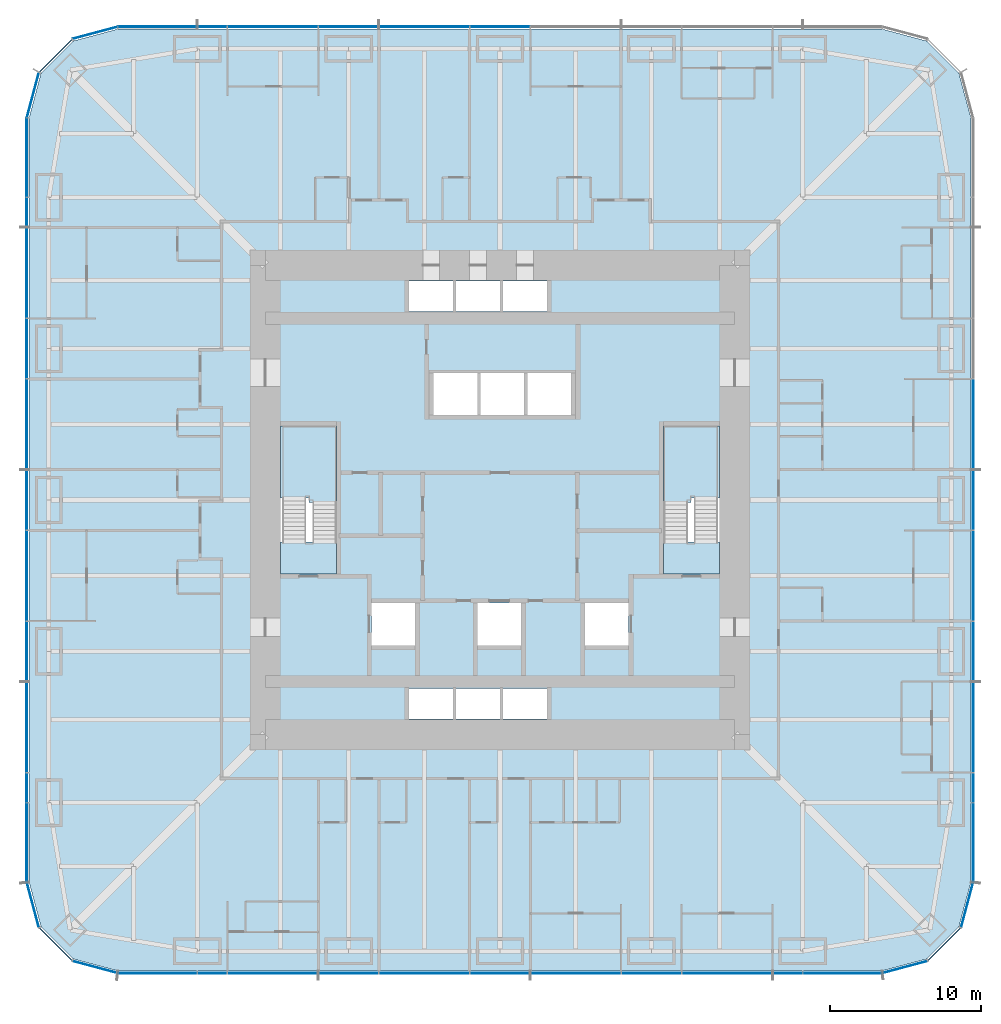
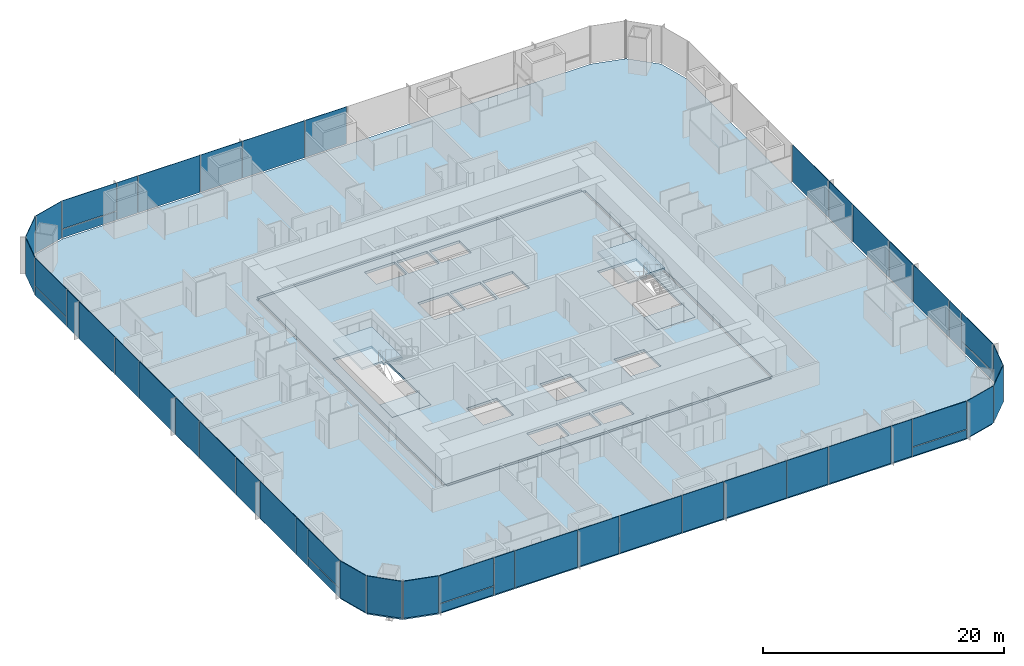
# One storey, part 10 of 17: 50 plates, 6 slabs, 9 elements without a shape of their own.
"""IFC4 building model written with IfcOpenShell, lengths in metres."""

from ifc_helpers import new_model, si_unit, direction, frame, origin, origin_2d, place, context, subcontext, project, spatial, polyline, rectangle, outline, extrude, material, layer, layer_set, type_object, element, aggregate, save


model = new_model("IFC4")

# Units and contexts
model_context = context("Model", 3, precision=1e-05, world=origin(), true_north=direction((0.0, 1.0)))
body_context = subcontext(model_context, "Body", "Model", "MODEL_VIEW")
ifc_project = project(units=[si_unit("LENGTHUNIT", "METRE"), si_unit("AREAUNIT", "SQUARE_METRE"), si_unit("VOLUMEUNIT", "CUBIC_METRE"), si_unit("PLANEANGLEUNIT", "RADIAN"), si_unit("MASSUNIT", "GRAM", prefix="KILO")], contexts=[model_context])

# Site, building, storey
site_placement = place(None, origin())
site = spatial("IfcSite", under=ifc_project, at=site_placement, CompositionType="ELEMENT")
building_placement = place(site_placement, origin())
building = spatial("IfcBuilding", under=site, at=building_placement, Name="Khuree Lantern Residences", CompositionType="ELEMENT")
storey_placement = place(building_placement, frame((0.0, 0.0, 73.5)))
storey = spatial("IfcBuildingStorey", under=building, at=storey_placement, Name="L18", CompositionType="ELEMENT", Elevation=73.5)

# Slab
ifc_material_1 = material(Name="Concrete C35/45", Category="concrete")
ifc_layer_1 = layer(ifc_material_1, 0.25)
ifc_layer_set_1 = layer_set([ifc_layer_1], Name="CFL250 CORE FLOOR SLAB 250")
slab_type_1 = type_object("IfcSlabType", Name="CFL250 CORE FLOOR SLAB 250", PredefinedType="FLOOR", material=ifc_layer_set_1)
slab_1_placement = place(storey_placement, frame((0.0, 0.0, -0.25)))
element("IfcSlab", 1, at=slab_1_placement, inside=storey, type_object=slab_type_1, Name="Core floor L18", PredefinedType="FLOOR", context=body_context, shape_type="SweptSolid", body=[
    extrude(outline(polyline([(-15.5, -15.5), (-15.5, 15.5), (15.5, 15.5), (15.5, -15.5), (-15.5, -15.5)]), holes=[polyline([(14.5, 4.89990234375), (10.800048828125, 4.89990234375), (10.800048828125, -4.89990234375), (14.5, -4.89990234375), (14.5, 4.89990234375)]), polyline([(8.5, -6.800048828125), (5.60009765625, -6.800048828125), (5.60009765625, -9.60009765625), (8.5, -9.60009765625), (8.5, -6.800048828125)]), polyline([(4.699951171875, 8.39990234375), (1.800048828125, 8.39990234375), (1.800048828125, 5.60009765625), (4.699951171875, 5.60009765625), (4.699951171875, 8.39990234375)]), polyline([(0.199951171875, -12.449951171875), (0.199951171875, -14.449951171875), (3.10009765625, -14.449951171875), (3.10009765625, -12.449951171875), (0.199951171875, -12.449951171875)]), polyline([(3.10009765625, 14.449951171875), (0.199951171875, 14.449951171875), (0.199951171875, 12.449951171875), (3.10009765625, 12.449951171875), (3.10009765625, 14.449951171875)]), polyline([(1.60009765625, 8.39990234375), (-1.300048828125, 8.39990234375), (-1.300048828125, 5.60009765625), (1.60009765625, 5.60009765625), (1.60009765625, 8.39990234375)]), polyline([(1.39990234375, -6.800048828125), (-1.5, -6.800048828125), (-1.5, -9.60009765625), (1.39990234375, -9.60009765625), (1.39990234375, -6.800048828125)]), polyline([(0.0, -12.449951171875), (-2.89990234375, -12.449951171875), (-2.89990234375, -14.449951171875), (0.0, -14.449951171875), (0.0, -12.449951171875)]), polyline([(0.0, 14.449951171875), (-2.89990234375, 14.449951171875), (-2.89990234375, 12.449951171875), (0.0, 12.449951171875), (0.0, 14.449951171875)]), polyline([(-1.5, 8.39990234375), (-4.39990234375, 8.39990234375), (-4.39990234375, 5.60009765625), (-1.5, 5.60009765625), (-1.5, 8.39990234375)]), polyline([(-6.0, -12.449951171875), (-6.0, -14.449951171875), (-3.10009765625, -14.449951171875), (-3.10009765625, -12.449951171875), (-6.0, -12.449951171875)]), polyline([(-3.10009765625, 14.449951171875), (-6.0, 14.449951171875), (-6.0, 12.449951171875), (-3.10009765625, 12.449951171875), (-3.10009765625, 14.449951171875)]), polyline([(-5.60009765625, -6.800048828125), (-8.5, -6.800048828125), (-8.5, -9.60009765625), (-5.60009765625, -9.60009765625), (-5.60009765625, -6.800048828125)]), polyline([(-10.800048828125, 4.89990234375), (-14.5, 4.89990234375), (-14.5, -4.89990234375), (-10.800048828125, -4.89990234375), (-10.800048828125, 4.89990234375)])]), origin(), (0.0, 0.0, 1.0), 0.25),
])

# Curtain wall, plates
ifc_material_2 = material(Name="Bronze anodised aluminium", Category="aluminium")
curtain_wall_type_1 = type_object("IfcCurtainWallType", Name="CW-T2 TOWER CORNER CURTAIN WALL", PredefinedType="USERDEFINED", material=ifc_material_2)
curtain_wall_1_placement = place(storey_placement, origin())
curtain_wall_1 = element("IfcCurtainWall", 2, at=curtain_wall_1_placement, inside=storey, type_object=curtain_wall_type_1, Name="L18 SOUTH-EAST CORNER CURTAIN WALL", ObjectType="Faceted corner curtain wall", PredefinedType="USERDEFINED")
ifc_material_3 = material(Name="Bronze tinted triple glazing", Category="glass")
ifc_layer_2 = layer(ifc_material_3, 0.048095703125)
ifc_layer_set_2 = layer_set([ifc_layer_2], Name="FACET PANEL P4")
plate_type_1 = type_object("IfcPlateType", Name="FACET PANEL P4", PredefinedType="CURTAIN_PANEL", material=ifc_layer_set_2)
plate_1_placement = place(storey_placement, frame((26.748046875, -30.8486328125, 0.0), z_axis=(0.0, 0.0, 1.0), x_axis=(0.965925792265, 0.258819172081, 0.0)))
plate_1 = element("IfcPlate", 3, at=plate_1_placement, type_object=plate_type_1, Name="L18 SOUTH-EAST CORNER PANEL 1.1", PredefinedType="CURTAIN_PANEL", context=body_context, shape_type="SweptSolid", body=[
    extrude(rectangle(XDim=3.02978515625, YDim=0.048095703125, at=origin_2d()), origin(), (0.0, 0.0, 1.0), 3.75),
])
plate_2_placement = place(storey_placement, frame((29.34814453125, -29.34814453125, 0.0), z_axis=(0.0, 0.0, 1.0), x_axis=(0.707106781187, 0.707106781187, 0.0)))
plate_2 = element("IfcPlate", 4, at=plate_2_placement, type_object=plate_type_1, Name="L18 SOUTH-EAST CORNER PANEL 2.1", PredefinedType="CURTAIN_PANEL", context=body_context, shape_type="SweptSolid", body=[
    extrude(rectangle(XDim=3.025634765625, YDim=0.048095703125, at=origin_2d()), origin(), (0.0, 0.0, 1.0), 3.75),
])
plate_3_placement = place(storey_placement, frame((30.8486328125, -26.748046875, 0.0), z_axis=(0.0, 0.0, 1.0), x_axis=(0.258819172081, 0.965925792265, 0.0)))
plate_3 = element("IfcPlate", 5, at=plate_3_placement, type_object=plate_type_1, Name="L18 SOUTH-EAST CORNER PANEL 3.1", PredefinedType="CURTAIN_PANEL", context=body_context, shape_type="SweptSolid", body=[
    extrude(rectangle(XDim=3.02978515625, YDim=0.048095703125, at=origin_2d()), origin(), (0.0, 0.0, 1.0), 3.75),
])
aggregate(curtain_wall_1, [plate_1, plate_2, plate_3])

curtain_wall_2_placement = place(storey_placement, origin())
curtain_wall_2 = element("IfcCurtainWall", 6, at=curtain_wall_2_placement, inside=storey, type_object=curtain_wall_type_1, Name="L18 NORTH-WEST CORNER CURTAIN WALL", ObjectType="Faceted corner curtain wall", PredefinedType="USERDEFINED")
plate_4_placement = place(storey_placement, frame((-26.748046875, 30.8486328125, 0.0), z_axis=(0.0, 0.0, 1.0), x_axis=(-0.965925792265, -0.258819172081, 0.0)))
plate_4 = element("IfcPlate", 7, at=plate_4_placement, type_object=plate_type_1, Name="L18 NORTH-WEST CORNER PANEL 29.1", PredefinedType="CURTAIN_PANEL", context=body_context, shape_type="SweptSolid", body=[
    extrude(rectangle(XDim=3.02978515625, YDim=0.048095703125, at=origin_2d()), origin(), (0.0, 0.0, 1.0), 3.75),
])
plate_5_placement = place(storey_placement, frame((-29.34814453125, 29.34814453125, 0.0), z_axis=(0.0, 0.0, 1.0), x_axis=(-0.707106781187, -0.707106781187, 0.0)))
plate_5 = element("IfcPlate", 8, at=plate_5_placement, type_object=plate_type_1, Name="L18 NORTH-WEST CORNER PANEL 30.1", PredefinedType="CURTAIN_PANEL", context=body_context, shape_type="SweptSolid", body=[
    extrude(rectangle(XDim=3.025634765625, YDim=0.048095703125, at=origin_2d()), origin(), (0.0, 0.0, 1.0), 3.75),
])
plate_6_placement = place(storey_placement, frame((-30.8486328125, 26.748046875, 0.0), z_axis=(0.0, 0.0, 1.0), x_axis=(-0.258819172081, -0.965925792265, 0.0)))
plate_6 = element("IfcPlate", 9, at=plate_6_placement, type_object=plate_type_1, Name="L18 NORTH-WEST CORNER PANEL 31.1", PredefinedType="CURTAIN_PANEL", context=body_context, shape_type="SweptSolid", body=[
    extrude(rectangle(XDim=3.02978515625, YDim=0.048095703125, at=origin_2d()), origin(), (0.0, 0.0, 1.0), 3.75),
])
aggregate(curtain_wall_2, [plate_4, plate_5, plate_6])

curtain_wall_3_placement = place(storey_placement, origin())
curtain_wall_3 = element("IfcCurtainWall", 10, at=curtain_wall_3_placement, inside=storey, type_object=curtain_wall_type_1, Name="L18 SOUTH-WEST CORNER CURTAIN WALL", ObjectType="Faceted corner curtain wall", PredefinedType="USERDEFINED")
plate_7_placement = place(storey_placement, frame((-30.8486328125, -26.748046875, 0.0), z_axis=(0.0, 0.0, 1.0), x_axis=(0.258819172081, -0.965925792265, 0.0)))
plate_7 = element("IfcPlate", 11, at=plate_7_placement, type_object=plate_type_1, Name="L18 SOUTH-WEST CORNER PANEL 43.1", PredefinedType="CURTAIN_PANEL", context=body_context, shape_type="SweptSolid", body=[
    extrude(rectangle(XDim=3.02978515625, YDim=0.048095703125, at=origin_2d()), origin(), (0.0, 0.0, 1.0), 3.75),
])
plate_8_placement = place(storey_placement, frame((-29.34814453125, -29.34814453125, 0.0), z_axis=(0.0, 0.0, 1.0), x_axis=(0.707106781187, -0.707106781187, 0.0)))
plate_8 = element("IfcPlate", 12, at=plate_8_placement, type_object=plate_type_1, Name="L18 SOUTH-WEST CORNER PANEL 44.1", PredefinedType="CURTAIN_PANEL", context=body_context, shape_type="SweptSolid", body=[
    extrude(rectangle(XDim=3.025634765625, YDim=0.048095703125, at=origin_2d()), origin(), (0.0, 0.0, 1.0), 3.75),
])
plate_9_placement = place(storey_placement, frame((-26.748046875, -30.8486328125, 0.0), z_axis=(0.0, 0.0, 1.0), x_axis=(0.965925792265, -0.258819172081, 0.0)))
plate_9 = element("IfcPlate", 13, at=plate_9_placement, type_object=plate_type_1, Name="L18 SOUTH-WEST CORNER PANEL 45.1", PredefinedType="CURTAIN_PANEL", context=body_context, shape_type="SweptSolid", body=[
    extrude(rectangle(XDim=3.02978515625, YDim=0.048095703125, at=origin_2d()), origin(), (0.0, 0.0, 1.0), 3.75),
])
aggregate(curtain_wall_3, [plate_7, plate_8, plate_9])

curtain_wall_type_2 = type_object("IfcCurtainWallType", Name="CW-T1 TOWER FACE CURTAIN WALL", PredefinedType="USERDEFINED", material=ifc_material_2)
curtain_wall_4_placement = place(storey_placement, origin())
curtain_wall_4 = element("IfcCurtainWall", 14, at=curtain_wall_4_placement, inside=storey, type_object=curtain_wall_type_2, Name="L18 EAST FACE CURTAIN WALL", ObjectType="Stick-built curtain wall", PredefinedType="USERDEFINED")
ifc_material_4 = material(Name="Bronze tinted triple glazing with a ceramic-fritted spandrel band", Category="glass")
ifc_layer_3 = layer(ifc_material_4, 0.048095703125)
ifc_layer_set_3 = layer_set([ifc_layer_3], Name="FIXED LIGHT PANEL P11")
plate_type_2 = type_object("IfcPlateType", Name="FIXED LIGHT PANEL P11", PredefinedType="CURTAIN_PANEL", material=ifc_layer_set_3)
plate_10_placement = place(storey_placement, frame((31.25, -15.0, 0.0), z_axis=(0.0, 0.0, 1.0), x_axis=(0.0, 1.0, 0.0)))
plate_10 = element("IfcPlate", 15, at=plate_10_placement, type_object=plate_type_2, Name="L18 EAST FACE PANEL 6.1", PredefinedType="CURTAIN_PANEL", context=body_context, shape_type="SweptSolid", body=[
    extrude(rectangle(XDim=5.93505859375, YDim=0.048095703125, at=origin_2d()), origin(), (0.0, 0.0, 1.0), 3.75),
])
plate_11_placement = place(storey_placement, frame((31.25, -5.0, 0.0), z_axis=(0.0, 0.0, 1.0), x_axis=(0.0, 1.0, 0.0)))
plate_11 = element("IfcPlate", 16, at=plate_11_placement, type_object=plate_type_2, Name="L18 EAST FACE PANEL 8.1", PredefinedType="CURTAIN_PANEL", context=body_context, shape_type="SweptSolid", body=[
    extrude(rectangle(XDim=5.93505859375, YDim=0.048095703125, at=origin_2d()), origin(), (0.0, 0.0, 1.0), 3.75),
])
plate_12_placement = place(storey_placement, frame((31.25, 5.0, 0.0), z_axis=(0.0, 0.0, 1.0), x_axis=(0.0, 1.0, 0.0)))
plate_12 = element("IfcPlate", 17, at=plate_12_placement, type_object=plate_type_2, Name="L18 EAST FACE PANEL 10.1", PredefinedType="CURTAIN_PANEL", context=body_context, shape_type="SweptSolid", body=[
    extrude(rectangle(XDim=5.93505859375, YDim=0.048095703125, at=origin_2d()), origin(), (0.0, 0.0, 1.0), 3.75),
])

curtain_wall_5_placement = place(storey_placement, origin())
curtain_wall_5 = element("IfcCurtainWall", 18, at=curtain_wall_5_placement, inside=storey, type_object=curtain_wall_type_2, Name="L18 NORTH FACE CURTAIN WALL", ObjectType="Stick-built curtain wall", PredefinedType="USERDEFINED")
plate_13_placement = place(storey_placement, frame((-5.0, 31.25, 0.0), z_axis=(0.0, 0.0, 1.0), x_axis=(-1.0, 0.0, 0.0)))
plate_13 = element("IfcPlate", 19, at=plate_13_placement, type_object=plate_type_2, Name="L18 NORTH FACE PANEL 24.1", PredefinedType="CURTAIN_PANEL", context=body_context, shape_type="SweptSolid", body=[
    extrude(rectangle(XDim=5.93505859375, YDim=0.048095703125, at=origin_2d()), origin(), (0.0, 0.0, 1.0), 3.75),
])
plate_14_placement = place(storey_placement, frame((-15.0, 31.25, 0.0), z_axis=(0.0, 0.0, 1.0), x_axis=(-1.0, 0.0, 0.0)))
plate_14 = element("IfcPlate", 20, at=plate_14_placement, type_object=plate_type_2, Name="L18 NORTH FACE PANEL 26.1", PredefinedType="CURTAIN_PANEL", context=body_context, shape_type="SweptSolid", body=[
    extrude(rectangle(XDim=5.93505859375, YDim=0.048095703125, at=origin_2d()), origin(), (0.0, 0.0, 1.0), 3.75),
])

curtain_wall_6_placement = place(storey_placement, origin())
curtain_wall_6 = element("IfcCurtainWall", 21, at=curtain_wall_6_placement, inside=storey, type_object=curtain_wall_type_2, Name="L18 WEST FACE CURTAIN WALL", ObjectType="Stick-built curtain wall", PredefinedType="USERDEFINED")
plate_15_placement = place(storey_placement, frame((-31.25, 15.0, 0.0), z_axis=(0.0, 0.0, 1.0), x_axis=(0.0, -1.0, 0.0)))
plate_15 = element("IfcPlate", 22, at=plate_15_placement, type_object=plate_type_2, Name="L18 WEST FACE PANEL 34.1", PredefinedType="CURTAIN_PANEL", context=body_context, shape_type="SweptSolid", body=[
    extrude(rectangle(XDim=5.93505859375, YDim=0.048095703125, at=origin_2d()), origin(), (0.0, 0.0, 1.0), 3.75),
])
plate_16_placement = place(storey_placement, frame((-31.25, 5.0, 0.0), z_axis=(0.0, 0.0, 1.0), x_axis=(0.0, -1.0, 0.0)))
plate_16 = element("IfcPlate", 23, at=plate_16_placement, type_object=plate_type_2, Name="L18 WEST FACE PANEL 36.1", PredefinedType="CURTAIN_PANEL", context=body_context, shape_type="SweptSolid", body=[
    extrude(rectangle(XDim=5.93505859375, YDim=0.048095703125, at=origin_2d()), origin(), (0.0, 0.0, 1.0), 3.75),
])
plate_17_placement = place(storey_placement, frame((-31.25, -5.0, 0.0), z_axis=(0.0, 0.0, 1.0), x_axis=(0.0, -1.0, 0.0)))
plate_17 = element("IfcPlate", 24, at=plate_17_placement, type_object=plate_type_2, Name="L18 WEST FACE PANEL 38.1", PredefinedType="CURTAIN_PANEL", context=body_context, shape_type="SweptSolid", body=[
    extrude(rectangle(XDim=5.93505859375, YDim=0.048095703125, at=origin_2d()), origin(), (0.0, 0.0, 1.0), 3.75),
])
plate_18_placement = place(storey_placement, frame((-31.25, -15.0, 0.0), z_axis=(0.0, 0.0, 1.0), x_axis=(0.0, -1.0, 0.0)))
plate_18 = element("IfcPlate", 25, at=plate_18_placement, type_object=plate_type_2, Name="L18 WEST FACE PANEL 40.1", PredefinedType="CURTAIN_PANEL", context=body_context, shape_type="SweptSolid", body=[
    extrude(rectangle(XDim=5.93505859375, YDim=0.048095703125, at=origin_2d()), origin(), (0.0, 0.0, 1.0), 3.75),
])

curtain_wall_7_placement = place(storey_placement, origin())
curtain_wall_7 = element("IfcCurtainWall", 26, at=curtain_wall_7_placement, inside=storey, type_object=curtain_wall_type_2, Name="L18 SOUTH FACE CURTAIN WALL", ObjectType="Stick-built curtain wall", PredefinedType="USERDEFINED")
plate_19_placement = place(storey_placement, frame((-15.0, -31.25, 0.0), z_axis=(0.0, 0.0, 1.0), x_axis=(1.0, 0.0, 0.0)))
plate_19 = element("IfcPlate", 27, at=plate_19_placement, type_object=plate_type_2, Name="L18 SOUTH FACE PANEL 48.1", PredefinedType="CURTAIN_PANEL", context=body_context, shape_type="SweptSolid", body=[
    extrude(rectangle(XDim=5.93505859375, YDim=0.048095703125, at=origin_2d()), origin(), (0.0, 0.0, 1.0), 3.75),
])
plate_20_placement = place(storey_placement, frame((-5.0, -31.25, 0.0), z_axis=(0.0, 0.0, 1.0), x_axis=(1.0, 0.0, 0.0)))
plate_20 = element("IfcPlate", 28, at=plate_20_placement, type_object=plate_type_2, Name="L18 SOUTH FACE PANEL 50.1", PredefinedType="CURTAIN_PANEL", context=body_context, shape_type="SweptSolid", body=[
    extrude(rectangle(XDim=5.93505859375, YDim=0.048095703125, at=origin_2d()), origin(), (0.0, 0.0, 1.0), 3.75),
])
plate_21_placement = place(storey_placement, frame((5.0, -31.25, 0.0), z_axis=(0.0, 0.0, 1.0), x_axis=(1.0, 0.0, 0.0)))
plate_21 = element("IfcPlate", 29, at=plate_21_placement, type_object=plate_type_2, Name="L18 SOUTH FACE PANEL 52.1", PredefinedType="CURTAIN_PANEL", context=body_context, shape_type="SweptSolid", body=[
    extrude(rectangle(XDim=5.93505859375, YDim=0.048095703125, at=origin_2d()), origin(), (0.0, 0.0, 1.0), 3.75),
])
plate_22_placement = place(storey_placement, frame((15.0, -31.25, 0.0), z_axis=(0.0, 0.0, 1.0), x_axis=(1.0, 0.0, 0.0)))
plate_22 = element("IfcPlate", 30, at=plate_22_placement, type_object=plate_type_2, Name="L18 SOUTH FACE PANEL 54.1", PredefinedType="CURTAIN_PANEL", context=body_context, shape_type="SweptSolid", body=[
    extrude(rectangle(XDim=5.93505859375, YDim=0.048095703125, at=origin_2d()), origin(), (0.0, 0.0, 1.0), 3.75),
])

# Slab
ifc_layer_4 = layer(ifc_material_1, 0.25)
ifc_layer_set_4 = layer_set([ifc_layer_4], Name="FS250 FLOOR SLAB 250")
slab_type_2 = type_object("IfcSlabType", Name="FS250 FLOOR SLAB 250", PredefinedType="FLOOR", material=ifc_layer_set_4)
slab_2_placement = place(storey_placement, frame((0.0, 0.0, -0.25)))
element("IfcSlab", 31, at=slab_2_placement, inside=storey, type_object=slab_type_2, Name="Floor slab L18", PredefinedType="FLOOR", context=body_context, shape_type="SweptSolid", body=[
    extrude(outline(polyline([(-28.175048828125, -30.316162109375), (-30.316162109375, -28.175048828125), (-31.10009765625, -25.25), (-31.10009765625, 25.25), (-30.316162109375, 28.175048828125), (-28.175048828125, 30.316162109375), (-25.25, 31.10009765625), (25.25, 31.10009765625), (28.175048828125, 30.316162109375), (30.316162109375, 28.175048828125), (31.10009765625, 25.25), (31.10009765625, -25.25), (30.316162109375, -28.175048828125), (28.175048828125, -30.316162109375), (25.25, -31.10009765625), (-25.25, -31.10009765625), (-28.175048828125, -30.316162109375)]), holes=[polyline([(15.75, 15.5), (15.5, 15.5), (15.5, 15.75), (-15.5, 15.75), (-15.5, 15.5), (-15.75, 15.5), (-15.75, -15.5), (-15.5, -15.5), (-15.5, -15.75), (15.5, -15.75), (15.5, -15.5), (15.75, -15.5), (15.75, 15.5)])]), origin(), (0.0, 0.0, 1.0), 0.25),
])

# Plate
ifc_material_5 = material(Name="Bronze tinted triple glazing, two aluminium-framed sashes in one frame", Category="aluminium")
ifc_layer_5 = layer(ifc_material_5, 0.048095703125)
ifc_layer_set_5 = layer_set([ifc_layer_5], Name="SASH PAIR PANEL P12")
plate_type_3 = type_object("IfcPlateType", Name="SASH PAIR PANEL P12", PredefinedType="CURTAIN_PANEL", material=ifc_layer_set_5)
plate_23_placement = place(storey_placement, frame((31.25, -10.0, 0.0), z_axis=(0.0, 0.0, 1.0), x_axis=(0.0, 1.0, 0.0)))
plate_23 = element("IfcPlate", 32, at=plate_23_placement, type_object=plate_type_3, Name="L18 EAST FACE PANEL 7.1", PredefinedType="CURTAIN_PANEL", context=body_context, shape_type="SweptSolid", body=[
    extrude(rectangle(XDim=3.93505859375, YDim=0.048095703125, at=origin_2d()), origin(), (0.0, 0.0, 1.0), 3.75),
])

plate_24_placement = place(storey_placement, frame((31.25, 0.0, 0.0), z_axis=(0.0, 0.0, 1.0), x_axis=(0.0, 1.0, 0.0)))
plate_24 = element("IfcPlate", 33, at=plate_24_placement, type_object=plate_type_3, Name="L18 EAST FACE PANEL 9.1", PredefinedType="CURTAIN_PANEL", context=body_context, shape_type="SweptSolid", body=[
    extrude(rectangle(XDim=3.93505859375, YDim=0.048095703125, at=origin_2d()), origin(), (0.0, 0.0, 1.0), 3.75),
])

plate_25_placement = place(storey_placement, frame((0.0, 31.25, 0.0), z_axis=(0.0, 0.0, 1.0), x_axis=(-1.0, 0.0, 0.0)))
plate_25 = element("IfcPlate", 34, at=plate_25_placement, type_object=plate_type_3, Name="L18 NORTH FACE PANEL 23.1", PredefinedType="CURTAIN_PANEL", context=body_context, shape_type="SweptSolid", body=[
    extrude(rectangle(XDim=3.93505859375, YDim=0.048095703125, at=origin_2d()), origin(), (0.0, 0.0, 1.0), 3.75),
])

plate_26_placement = place(storey_placement, frame((-10.0, 31.25, 0.0), z_axis=(0.0, 0.0, 1.0), x_axis=(-1.0, 0.0, 0.0)))
plate_26 = element("IfcPlate", 35, at=plate_26_placement, type_object=plate_type_3, Name="L18 NORTH FACE PANEL 25.1", PredefinedType="CURTAIN_PANEL", context=body_context, shape_type="SweptSolid", body=[
    extrude(rectangle(XDim=3.93505859375, YDim=0.048095703125, at=origin_2d()), origin(), (0.0, 0.0, 1.0), 3.75),
])

plate_27_placement = place(storey_placement, frame((-31.25, 10.0, 0.0), z_axis=(0.0, 0.0, 1.0), x_axis=(0.0, -1.0, 0.0)))
plate_27 = element("IfcPlate", 36, at=plate_27_placement, type_object=plate_type_3, Name="L18 WEST FACE PANEL 35.1", PredefinedType="CURTAIN_PANEL", context=body_context, shape_type="SweptSolid", body=[
    extrude(rectangle(XDim=3.93505859375, YDim=0.048095703125, at=origin_2d()), origin(), (0.0, 0.0, 1.0), 3.75),
])

plate_28_placement = place(storey_placement, frame((-31.25, 0.0, 0.0), z_axis=(0.0, 0.0, 1.0), x_axis=(0.0, -1.0, 0.0)))
plate_28 = element("IfcPlate", 37, at=plate_28_placement, type_object=plate_type_3, Name="L18 WEST FACE PANEL 37.1", PredefinedType="CURTAIN_PANEL", context=body_context, shape_type="SweptSolid", body=[
    extrude(rectangle(XDim=3.93505859375, YDim=0.048095703125, at=origin_2d()), origin(), (0.0, 0.0, 1.0), 3.75),
])

plate_29_placement = place(storey_placement, frame((-31.25, -10.0, 0.0), z_axis=(0.0, 0.0, 1.0), x_axis=(0.0, -1.0, 0.0)))
plate_29 = element("IfcPlate", 38, at=plate_29_placement, type_object=plate_type_3, Name="L18 WEST FACE PANEL 39.1", PredefinedType="CURTAIN_PANEL", context=body_context, shape_type="SweptSolid", body=[
    extrude(rectangle(XDim=3.93505859375, YDim=0.048095703125, at=origin_2d()), origin(), (0.0, 0.0, 1.0), 3.75),
])

plate_30_placement = place(storey_placement, frame((-10.0, -31.25, 0.0), z_axis=(0.0, 0.0, 1.0), x_axis=(1.0, 0.0, 0.0)))
plate_30 = element("IfcPlate", 39, at=plate_30_placement, type_object=plate_type_3, Name="L18 SOUTH FACE PANEL 49.1", PredefinedType="CURTAIN_PANEL", context=body_context, shape_type="SweptSolid", body=[
    extrude(rectangle(XDim=3.93505859375, YDim=0.048095703125, at=origin_2d()), origin(), (0.0, 0.0, 1.0), 3.75),
])

plate_31_placement = place(storey_placement, frame((0.0, -31.25, 0.0), z_axis=(0.0, 0.0, 1.0), x_axis=(1.0, 0.0, 0.0)))
plate_31 = element("IfcPlate", 40, at=plate_31_placement, type_object=plate_type_3, Name="L18 SOUTH FACE PANEL 51.1", PredefinedType="CURTAIN_PANEL", context=body_context, shape_type="SweptSolid", body=[
    extrude(rectangle(XDim=3.93505859375, YDim=0.048095703125, at=origin_2d()), origin(), (0.0, 0.0, 1.0), 3.75),
])

plate_32_placement = place(storey_placement, frame((10.0, -31.25, 0.0), z_axis=(0.0, 0.0, 1.0), x_axis=(1.0, 0.0, 0.0)))
plate_32 = element("IfcPlate", 41, at=plate_32_placement, type_object=plate_type_3, Name="L18 SOUTH FACE PANEL 53.1", PredefinedType="CURTAIN_PANEL", context=body_context, shape_type="SweptSolid", body=[
    extrude(rectangle(XDim=3.93505859375, YDim=0.048095703125, at=origin_2d()), origin(), (0.0, 0.0, 1.0), 3.75),
])

ifc_material_6 = material(Name="Bronze tinted triple glazing, aluminium-framed sash", Category="aluminium")
ifc_layer_6 = layer(ifc_material_6, 0.048095703125)
ifc_layer_set_6 = layer_set([ifc_layer_6], Name="SASH PANEL P3")
plate_type_4 = type_object("IfcPlateType", Name="SASH PANEL P3", PredefinedType="CURTAIN_PANEL", material=ifc_layer_set_6)
plate_33_placement = place(storey_placement, frame((31.25, -19.0, 0.0), z_axis=(0.0, 0.0, 1.0), x_axis=(0.0, 1.0, 0.0)))
plate_33 = element("IfcPlate", 42, at=plate_33_placement, type_object=plate_type_4, Name="L18 EAST FACE PANEL 5.1", PredefinedType="CURTAIN_PANEL", context=body_context, shape_type="SweptSolid", body=[
    extrude(rectangle(XDim=1.93505859375, YDim=0.048095703125, at=origin_2d()), origin(), (0.0, 0.0, 1.0), 3.75),
])

plate_34_placement = place(storey_placement, frame((-19.0, 31.25, 0.0), z_axis=(0.0, 0.0, 1.0), x_axis=(-1.0, 0.0, 0.0)))
plate_34 = element("IfcPlate", 43, at=plate_34_placement, type_object=plate_type_4, Name="L18 NORTH FACE PANEL 27.1", PredefinedType="CURTAIN_PANEL", context=body_context, shape_type="SweptSolid", body=[
    extrude(rectangle(XDim=1.93505859375, YDim=0.048095703125, at=origin_2d()), origin(), (0.0, 0.0, 1.0), 3.75),
])

plate_35_placement = place(storey_placement, frame((-31.25, 19.0, 0.0), z_axis=(0.0, 0.0, 1.0), x_axis=(0.0, -1.0, 0.0)))
plate_35 = element("IfcPlate", 44, at=plate_35_placement, type_object=plate_type_4, Name="L18 WEST FACE PANEL 33.1", PredefinedType="CURTAIN_PANEL", context=body_context, shape_type="SweptSolid", body=[
    extrude(rectangle(XDim=1.93505859375, YDim=0.048095703125, at=origin_2d()), origin(), (0.0, 0.0, 1.0), 3.75),
])

plate_36_placement = place(storey_placement, frame((-31.25, -19.0, 0.0), z_axis=(0.0, 0.0, 1.0), x_axis=(0.0, -1.0, 0.0)))
plate_36 = element("IfcPlate", 45, at=plate_36_placement, type_object=plate_type_4, Name="L18 WEST FACE PANEL 41.1", PredefinedType="CURTAIN_PANEL", context=body_context, shape_type="SweptSolid", body=[
    extrude(rectangle(XDim=1.93505859375, YDim=0.048095703125, at=origin_2d()), origin(), (0.0, 0.0, 1.0), 3.75),
])

plate_37_placement = place(storey_placement, frame((-19.0, -31.25, 0.0), z_axis=(0.0, 0.0, 1.0), x_axis=(1.0, 0.0, 0.0)))
plate_37 = element("IfcPlate", 46, at=plate_37_placement, type_object=plate_type_4, Name="L18 SOUTH FACE PANEL 47.1", PredefinedType="CURTAIN_PANEL", context=body_context, shape_type="SweptSolid", body=[
    extrude(rectangle(XDim=1.93505859375, YDim=0.048095703125, at=origin_2d()), origin(), (0.0, 0.0, 1.0), 3.75),
])

plate_38_placement = place(storey_placement, frame((19.0, -31.25, 0.0), z_axis=(0.0, 0.0, 1.0), x_axis=(1.0, 0.0, 0.0)))
plate_38 = element("IfcPlate", 47, at=plate_38_placement, type_object=plate_type_4, Name="L18 SOUTH FACE PANEL 55.1", PredefinedType="CURTAIN_PANEL", context=body_context, shape_type="SweptSolid", body=[
    extrude(rectangle(XDim=1.93505859375, YDim=0.048095703125, at=origin_2d()), origin(), (0.0, 0.0, 1.0), 3.75),
])

ifc_material_7 = material(Name="Bronze anodised aluminium insulated spandrel", Category="aluminium")
ifc_layer_7 = layer(ifc_material_7, 0.06005859375)
ifc_layer_set_7 = layer_set([ifc_layer_7], Name="SPANDREL PANEL P2")
plate_type_5 = type_object("IfcPlateType", Name="SPANDREL PANEL P2", PredefinedType="CURTAIN_PANEL", material=ifc_layer_set_7)
plate_39_placement = place(storey_placement, frame((31.25, -22.622802734375, 0.0), z_axis=(0.0, 0.0, 1.0), x_axis=(0.0, 1.0, 0.0)))
plate_39 = element("IfcPlate", 48, at=plate_39_placement, type_object=plate_type_5, Name="L18 EAST FACE PANEL 4.1", PredefinedType="CURTAIN_PANEL", context=body_context, shape_type="SweptSolid", body=[
    extrude(rectangle(XDim=5.1806640625, YDim=0.06005859375, at=origin_2d()), origin(), (0.0, 0.0, 1.0), 0.867431640625),
])

plate_40_placement = place(storey_placement, frame((-22.622802734375, 31.25, 0.0), z_axis=(0.0, 0.0, 1.0), x_axis=(-1.0, 0.0, 0.0)))
plate_40 = element("IfcPlate", 49, at=plate_40_placement, type_object=plate_type_5, Name="L18 NORTH FACE PANEL 28.1", PredefinedType="CURTAIN_PANEL", context=body_context, shape_type="SweptSolid", body=[
    extrude(rectangle(XDim=5.1806640625, YDim=0.06005859375, at=origin_2d()), origin(), (0.0, 0.0, 1.0), 0.867431640625),
])

plate_41_placement = place(storey_placement, frame((-31.25, 22.622802734375, 0.0), z_axis=(0.0, 0.0, 1.0), x_axis=(0.0, -1.0, 0.0)))
plate_41 = element("IfcPlate", 50, at=plate_41_placement, type_object=plate_type_5, Name="L18 WEST FACE PANEL 32.1", PredefinedType="CURTAIN_PANEL", context=body_context, shape_type="SweptSolid", body=[
    extrude(rectangle(XDim=5.1806640625, YDim=0.06005859375, at=origin_2d()), origin(), (0.0, 0.0, 1.0), 0.867431640625),
])

plate_42_placement = place(storey_placement, frame((-31.25, -22.622802734375, 0.0), z_axis=(0.0, 0.0, 1.0), x_axis=(0.0, -1.0, 0.0)))
plate_42 = element("IfcPlate", 51, at=plate_42_placement, type_object=plate_type_5, Name="L18 WEST FACE PANEL 42.1", PredefinedType="CURTAIN_PANEL", context=body_context, shape_type="SweptSolid", body=[
    extrude(rectangle(XDim=5.1806640625, YDim=0.06005859375, at=origin_2d()), origin(), (0.0, 0.0, 1.0), 0.867431640625),
])

plate_43_placement = place(storey_placement, frame((-22.622802734375, -31.25, 0.0), z_axis=(0.0, 0.0, 1.0), x_axis=(1.0, 0.0, 0.0)))
plate_43 = element("IfcPlate", 52, at=plate_43_placement, type_object=plate_type_5, Name="L18 SOUTH FACE PANEL 46.1", PredefinedType="CURTAIN_PANEL", context=body_context, shape_type="SweptSolid", body=[
    extrude(rectangle(XDim=5.1806640625, YDim=0.06005859375, at=origin_2d()), origin(), (0.0, 0.0, 1.0), 0.867431640625),
])

plate_44_placement = place(storey_placement, frame((22.622802734375, -31.25, 0.0), z_axis=(0.0, 0.0, 1.0), x_axis=(1.0, 0.0, 0.0)))
plate_44 = element("IfcPlate", 53, at=plate_44_placement, type_object=plate_type_5, Name="L18 SOUTH FACE PANEL 56.1", PredefinedType="CURTAIN_PANEL", context=body_context, shape_type="SweptSolid", body=[
    extrude(rectangle(XDim=5.1806640625, YDim=0.06005859375, at=origin_2d()), origin(), (0.0, 0.0, 1.0), 0.867431640625),
])

# Stair, slabs
ifc_material_8 = material(Name="Concrete C40/50", Category="concrete")
stair_type = type_object("IfcStairType", Name="STAIR ST1 HALF TURN 3600", PredefinedType="HALF_TURN_STAIR", material=ifc_material_8)
stair_1_placement = place(storey_placement, origin())
stair_1 = element("IfcStair", 54, at=stair_1_placement, inside=storey, type_object=stair_type, Name="Stair ST1", PredefinedType="HALF_TURN_STAIR")
ifc_layer_8 = layer(ifc_material_8, 0.199951171875)
ifc_layer_set_8 = layer_set([ifc_layer_8], Name="STAIR LANDING SL1 200")
slab_type_3 = type_object("IfcSlabType", Name="STAIR LANDING SL1 200", PredefinedType="LANDING", material=ifc_layer_set_8)
slab_3_placement = place(storey_placement, frame((0.0, 0.0, -0.199951171875)))
slab_3 = element("IfcSlab", 55, at=slab_3_placement, type_object=slab_type_3, Name="ST1 landing 1", PredefinedType="LANDING", context=body_context, shape_type="SweptSolid", body=[
    extrude(outline(polyline([(-14.5, -4.89990234375), (-10.800048828125, -4.89990234375), (-10.800048828125, -2.760009765625), (-14.5, -2.760009765625), (-14.5, -4.89990234375)])), origin(), (0.0, 0.0, 1.0), 0.199951171875),
])
slab_4_placement = place(storey_placement, frame((0.0, 0.0, 1.756591796875)))
slab_4 = element("IfcSlab", 56, at=slab_4_placement, type_object=slab_type_3, Name="ST1 landing 2", PredefinedType="LANDING", context=body_context, shape_type="SweptSolid", body=[
    extrude(outline(polyline([(-14.5, 0.1201171875), (-14.5, 4.89990234375), (-10.800048828125, 4.89990234375), (-10.800048828125, -0.159912109375), (-12.60009765625, -0.159912109375), (-12.60009765625, 0.1201171875), (-14.5, 0.1201171875)])), origin(), (0.0, 0.0, 1.0), 0.199951171875),
])
aggregate(stair_1, [slab_3, slab_4])

stair_2_placement = place(storey_placement, origin())
stair_2 = element("IfcStair", 57, at=stair_2_placement, inside=storey, type_object=stair_type, Name="Stair ST2", PredefinedType="HALF_TURN_STAIR")
slab_5_placement = place(storey_placement, frame((0.0, 0.0, -0.199951171875)))
slab_5 = element("IfcSlab", 58, at=slab_5_placement, type_object=slab_type_3, Name="ST2 landing 1", PredefinedType="LANDING", context=body_context, shape_type="SweptSolid", body=[
    extrude(outline(polyline([(10.800048828125, -4.89990234375), (14.5, -4.89990234375), (14.5, -2.760009765625), (10.800048828125, -2.760009765625), (10.800048828125, -4.89990234375)])), origin(), (0.0, 0.0, 1.0), 0.199951171875),
])
slab_6_placement = place(storey_placement, frame((0.0, 0.0, 1.756591796875)))
slab_6 = element("IfcSlab", 59, at=slab_6_placement, type_object=slab_type_3, Name="ST2 landing 2", PredefinedType="LANDING", context=body_context, shape_type="SweptSolid", body=[
    extrude(outline(polyline([(14.5, 4.89990234375), (14.5, 0.1201171875), (12.60009765625, 0.1201171875), (12.60009765625, -0.159912109375), (10.800048828125, -0.159912109375), (10.800048828125, 4.89990234375), (14.5, 4.89990234375)])), origin(), (0.0, 0.0, 1.0), 0.199951171875),
])
aggregate(stair_2, [slab_5, slab_6])

# Plate
ifc_layer_9 = layer(ifc_material_3, 0.048095703125)
ifc_layer_set_9 = layer_set([ifc_layer_9], Name="VISION PANEL P1")
plate_type_6 = type_object("IfcPlateType", Name="VISION PANEL P1", PredefinedType="CURTAIN_PANEL", material=ifc_layer_set_9)
plate_45_placement = place(storey_placement, frame((31.25, -22.623291015625, 0.9326171875), z_axis=(0.0, 0.0, 1.0), x_axis=(0.0, 1.0, 0.0)))
plate_45 = element("IfcPlate", 60, at=plate_45_placement, type_object=plate_type_6, Name="L18 EAST FACE PANEL 4.2", PredefinedType="CURTAIN_PANEL", context=body_context, shape_type="SweptSolid", body=[
    extrude(rectangle(XDim=5.181640625, YDim=0.048095703125, at=origin_2d()), origin(), (0.0, 0.0, 1.0), 2.8173828125),
])

aggregate(curtain_wall_4, [plate_39, plate_45, plate_33, plate_10, plate_23, plate_11, plate_24, plate_12])

plate_46_placement = place(storey_placement, frame((-22.623291015625, 31.25, 0.9326171875), z_axis=(0.0, 0.0, 1.0), x_axis=(-1.0, 0.0, 0.0)))
plate_46 = element("IfcPlate", 61, at=plate_46_placement, type_object=plate_type_6, Name="L18 NORTH FACE PANEL 28.2", PredefinedType="CURTAIN_PANEL", context=body_context, shape_type="SweptSolid", body=[
    extrude(rectangle(XDim=5.181640625, YDim=0.048095703125, at=origin_2d()), origin(), (0.0, 0.0, 1.0), 2.8173828125),
])

aggregate(curtain_wall_5, [plate_25, plate_13, plate_26, plate_14, plate_34, plate_40, plate_46])

plate_47_placement = place(storey_placement, frame((-31.25, 22.623291015625, 0.9326171875), z_axis=(0.0, 0.0, 1.0), x_axis=(0.0, -1.0, 0.0)))
plate_47 = element("IfcPlate", 62, at=plate_47_placement, type_object=plate_type_6, Name="L18 WEST FACE PANEL 32.2", PredefinedType="CURTAIN_PANEL", context=body_context, shape_type="SweptSolid", body=[
    extrude(rectangle(XDim=5.181640625, YDim=0.048095703125, at=origin_2d()), origin(), (0.0, 0.0, 1.0), 2.8173828125),
])

plate_48_placement = place(storey_placement, frame((-31.25, -22.623291015625, 0.9326171875), z_axis=(0.0, 0.0, 1.0), x_axis=(0.0, -1.0, 0.0)))
plate_48 = element("IfcPlate", 63, at=plate_48_placement, type_object=plate_type_6, Name="L18 WEST FACE PANEL 42.2", PredefinedType="CURTAIN_PANEL", context=body_context, shape_type="SweptSolid", body=[
    extrude(rectangle(XDim=5.181640625, YDim=0.048095703125, at=origin_2d()), origin(), (0.0, 0.0, 1.0), 2.8173828125),
])

aggregate(curtain_wall_6, [plate_41, plate_47, plate_35, plate_15, plate_27, plate_16, plate_28, plate_17, plate_29, plate_18, plate_36, plate_42, plate_48])

plate_49_placement = place(storey_placement, frame((-22.623291015625, -31.25, 0.9326171875), z_axis=(0.0, 0.0, 1.0), x_axis=(1.0, 0.0, 0.0)))
plate_49 = element("IfcPlate", 64, at=plate_49_placement, type_object=plate_type_6, Name="L18 SOUTH FACE PANEL 46.2", PredefinedType="CURTAIN_PANEL", context=body_context, shape_type="SweptSolid", body=[
    extrude(rectangle(XDim=5.181640625, YDim=0.048095703125, at=origin_2d()), origin(), (0.0, 0.0, 1.0), 2.8173828125),
])

plate_50_placement = place(storey_placement, frame((22.623291015625, -31.25, 0.9326171875), z_axis=(0.0, 0.0, 1.0), x_axis=(1.0, 0.0, 0.0)))
plate_50 = element("IfcPlate", 65, at=plate_50_placement, type_object=plate_type_6, Name="L18 SOUTH FACE PANEL 56.2", PredefinedType="CURTAIN_PANEL", context=body_context, shape_type="SweptSolid", body=[
    extrude(rectangle(XDim=5.181640625, YDim=0.048095703125, at=origin_2d()), origin(), (0.0, 0.0, 1.0), 2.8173828125),
])

aggregate(curtain_wall_7, [plate_43, plate_49, plate_37, plate_19, plate_30, plate_20, plate_31, plate_21, plate_32, plate_22, plate_38, plate_44, plate_50])

save(model, "model.ifc")
